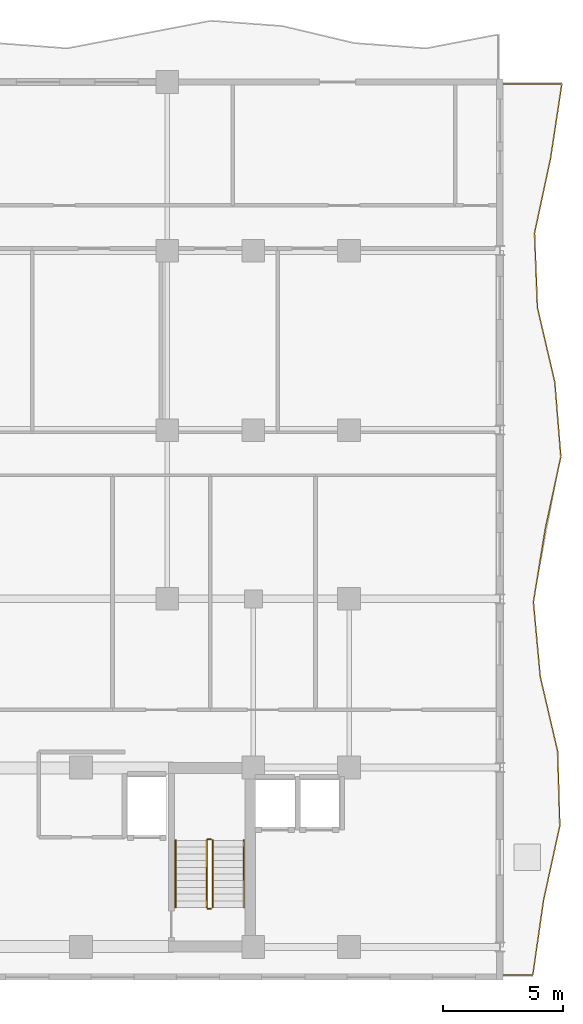
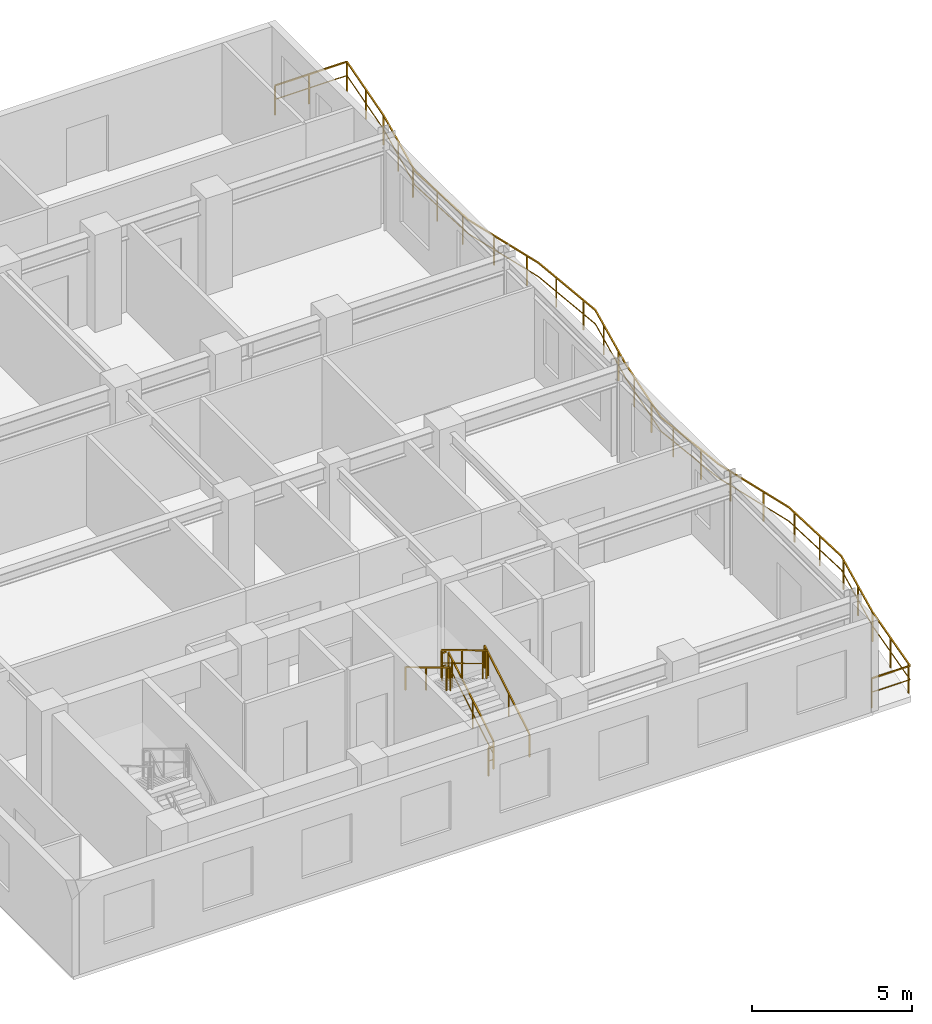
# One storey, part 12 of 13: 7 railings.
"""IFC4 building model written with IfcOpenShell, lengths in metres."""

import ifcopenshell
import ifcopenshell.guid

model = None  # the IFC model being written
_history = None  # IfcOwnerHistory: only IFC2X3 demands one
_inside = {}  # id of a spatial element -> (the spatial element, [elements in it])
_under = {}  # id of a project, library or spatial element -> (it, [spatial elements below it])
_declared = {}  # id of a project -> (the project, [libraries it declares])
_typed = {}  # id of a type object -> (the type object, [elements of that type])
_made_of = {}  # id of a material, layer set ... -> (it, [elements and type objects made of it])


def new_model(schema):
    """Start an empty IFC model of exactly this schema.

    Asked for "IFC4X3", IfcOpenShell would pick the latest addendum, in which some entities
    have other attributes; the version numbers below select the first issue.
    IFC2X3 requires an IfcOwnerHistory on every rooted entity: one is made here for all.
    """
    global model, _history
    if schema == "IFC4X3":
        model = ifcopenshell.file(schema_version=(4, 3, 0, 0))
    else:
        model = ifcopenshell.file(schema=schema)
    _inside.clear()
    _under.clear()
    _declared.clear()
    _typed.clear()
    _made_of.clear()
    _history = None
    if model.schema == "IFC2X3":
        org = make("IfcOrganization", Name="unknown")
        user = make(
            "IfcPersonAndOrganization",
            ThePerson=make("IfcPerson", FamilyName="unknown"),
            TheOrganization=org,
        )
        app = make(
            "IfcApplication",
            ApplicationDeveloper=org,
            Version="unknown",
            ApplicationFullName="unknown",
            ApplicationIdentifier="unknown",
        )
        _history = make(
            "IfcOwnerHistory",
            OwningUser=user,
            OwningApplication=app,
            ChangeAction="ADDED",
            CreationDate=0,
        )
    return model


def make(cls, **values):
    """One entity of the class cls with the attributes given. An attribute that is None is left unset."""
    return model.create_entity(
        cls, **{name: value for name, value in values.items() if value is not None}
    )


def rooted(cls, **values):
    """An entity with a GlobalId (a new one), such as an element, a storey or a relation."""
    return make(cls, GlobalId=ifcopenshell.guid.new(), OwnerHistory=_history, **values)


def si_unit(unit_type, name, prefix=None):
    """IfcSIUnit, for example si_unit("LENGTHUNIT", "METRE", prefix="MILLI")."""
    return make("IfcSIUnit", UnitType=unit_type, Prefix=prefix, Name=name)


def assignment(units):
    """IfcUnitAssignment: the units of a project."""
    return None if units is None else make("IfcUnitAssignment", Units=units)


def point(xyz):
    """IfcCartesianPoint."""
    return None if xyz is None else make("IfcCartesianPoint", Coordinates=xyz)


def direction(xyz):
    """IfcDirection."""
    return None if xyz is None else make("IfcDirection", DirectionRatios=xyz)


def frame(location, z_axis=None, x_axis=None):
    """IfcAxis2Placement3D, a coordinate frame: its origin and axes. An axis left out is left unset."""
    return make(
        "IfcAxis2Placement3D",
        Location=point(location),
        Axis=direction(z_axis),
        RefDirection=direction(x_axis),
    )


def frame_2d(location, x_axis=None):
    """IfcAxis2Placement2D, a coordinate frame in the plane: its origin and x axis."""
    return make(
        "IfcAxis2Placement2D", Location=point(location), RefDirection=direction(x_axis)
    )


def origin():
    """The frame at (0, 0, 0) with its axes left unset."""
    return frame((0.0, 0.0, 0.0))


def origin_2d():
    """The frame at (0, 0) in the plane with its x axis left unset."""
    return frame_2d((0.0, 0.0))


def place(relative_to, where):
    """IfcLocalPlacement: puts the frame where relative to a parent placement (None: the world)."""
    return make(
        "IfcLocalPlacement", PlacementRelTo=relative_to, RelativePlacement=where
    )


def context(
    kind, dimensions, precision=None, world=None, true_north=None, identifier=None
):
    """IfcGeometricRepresentationContext, for example the 3D "Model" context."""
    return make(
        "IfcGeometricRepresentationContext",
        ContextIdentifier=identifier,
        ContextType=kind,
        CoordinateSpaceDimension=dimensions,
        Precision=precision,
        WorldCoordinateSystem=world,
        TrueNorth=true_north,
    )


def subcontext(parent, identifier, kind, view, scale=None):
    """IfcGeometricRepresentationSubContext, for example "Body" below "Model"."""
    return make(
        "IfcGeometricRepresentationSubContext",
        ContextIdentifier=identifier,
        ContextType=kind,
        ParentContext=parent,
        TargetScale=scale,
        TargetView=view,
    )


def project(units=None, contexts=None):
    """IfcProject with its units and contexts."""
    return rooted(
        "IfcProject",
        Name="project",
        RepresentationContexts=contexts,
        UnitsInContext=assignment(units),
    )


def spatial(cls, under=None, at=None, **own):
    """A site, building, storey or space (cls), placed at a placement, below another one or the project."""
    s = rooted(cls, ObjectPlacement=at, **own)
    if under is not None:
        _under.setdefault(under.id(), (under, []))[1].append(s)
    return s


def profile(cls, at=None, kind="AREA", **sizes):
    """A parametric profile (cls). Its sizes go by their IFC names, for example OverallWidth=200.0."""
    return make(cls, ProfileType=kind, Position=at, **sizes)


def rectangle(**sizes):
    """IfcRectangleProfileDef."""
    return profile("IfcRectangleProfileDef", **sizes)


def extrude(swept, where, along, depth):
    """IfcExtrudedAreaSolid: the profile swept, set in the frame where, extruded along a direction by depth."""
    return make(
        "IfcExtrudedAreaSolid",
        SweptArea=swept,
        Position=where,
        ExtrudedDirection=direction(along),
        Depth=depth,
    )


def shape(context_of_items, identifier, shape_type, items):
    """IfcShapeRepresentation: the items that make up one representation, for example the "Body"."""
    return make(
        "IfcShapeRepresentation",
        ContextOfItems=context_of_items,
        RepresentationIdentifier=identifier,
        RepresentationType=shape_type,
        Items=items,
    )


def material(Name=None, Category=None):
    """IfcMaterial."""
    return make("IfcMaterial", Name=Name, Category=Category)


def made_of(thing, what):
    """Note that an element or type object is made of a material, layer set ...; save() writes the relation."""
    if what is not None:
        _made_of.setdefault(what.id(), (what, []))[1].append(thing)
    return thing


def type_object(cls, material=None, **own):
    """A type object (cls), such as IfcWallType, which elements share."""
    return made_of(rooted(cls, **own), material)


def element(
    cls,
    number,
    at=None,
    inside=None,
    cuts=None,
    type_object=None,
    material=None,
    context=None,
    identifier="Body",
    shape_type=None,
    held_by="IfcProductDefinitionShape",
    body=None,
    shapes=None,
    **own,
):
    """One element of the class cls, such as IfcWall. Its Tag is "e" and its number.

    at: its placement. inside: the storey or other place that contains it. cuts: it is an
    opening in that element (IfcRelVoidsElement). A single representation is given by context,
    identifier, shape_type and body (its items); several are given by shapes. held_by: the class
    of the entity that holds the representations. save() writes the other relations.
    """
    e = rooted(cls, Tag="e%d" % number, ObjectPlacement=at, **own)
    if body is not None:
        shapes = [shape(context, identifier, shape_type, body)]
    if shapes is not None:
        e.Representation = make(held_by, Representations=shapes)
    if inside is not None:
        _inside.setdefault(inside.id(), (inside, []))[1].append(e)
    if cuts is not None:
        rooted(
            "IfcRelVoidsElement", RelatingBuildingElement=cuts, RelatedOpeningElement=e
        )
    if type_object is not None:
        _typed.setdefault(type_object.id(), (type_object, []))[1].append(e)
    return made_of(e, material)


def aggregate(whole, parts):
    """IfcRelAggregates: a whole, such as a stair, and the parts it consists of."""
    return rooted("IfcRelAggregates", RelatingObject=whole, RelatedObjects=parts)


def save(model, path):
    """Write the relations noted so far, then the file.

    IfcRelAggregates (storeys below a building ...), IfcRelContainedInSpatialStructure (elements
    in a storey), IfcRelDefinesByType, IfcRelAssociatesMaterial and IfcRelDeclares: one each for
    every whole, place, type object, material and project.
    """
    for whole, parts in _under.values():
        aggregate(whole, parts)
    for where, things in _inside.values():
        rooted(
            "IfcRelContainedInSpatialStructure",
            RelatedElements=things,
            RelatingStructure=where,
        )
    for kind, things in _typed.values():
        rooted("IfcRelDefinesByType", RelatedObjects=things, RelatingType=kind)
    for what, things in _made_of.values():
        rooted("IfcRelAssociatesMaterial", RelatedObjects=things, RelatingMaterial=what)
    for by, libraries in _declared.values():
        rooted("IfcRelDeclares", RelatingContext=by, RelatedDefinitions=libraries)
    model.write(path)


model = new_model("IFC4")

# Units and contexts
model_context = context("Model", 3, precision=1e-05, world=origin(), true_north=direction((0.0, 1.0)))
body_context = subcontext(model_context, "Body", "Model", "MODEL_VIEW")
ifc_project = project(units=[si_unit("LENGTHUNIT", "METRE"), si_unit("AREAUNIT", "SQUARE_METRE"), si_unit("VOLUMEUNIT", "CUBIC_METRE"), si_unit("PLANEANGLEUNIT", "RADIAN"), si_unit("MASSUNIT", "GRAM", prefix="KILO")], contexts=[model_context])

# Site, building, storey
site_placement = place(None, origin())
site = spatial("IfcSite", under=ifc_project, at=site_placement, CompositionType="ELEMENT")
building_placement = place(site_placement, origin())
building = spatial("IfcBuilding", under=site, at=building_placement, Name="Kaliganga Portal Commons", CompositionType="ELEMENT")
storey_placement = place(building_placement, frame((0.0, 0.0, 209.199951171875)))
storey = spatial("IfcBuildingStorey", under=building, at=storey_placement, Name="L53", CompositionType="ELEMENT", Elevation=209.199951171875)

# Railings
ifc_material_1 = material(Name="Laminated Safety Glass and Stainless Steel 316", Category="steel")
railing_type_1 = type_object("IfcRailingType", Name="RLG-BAL-1150", PredefinedType="BALUSTRADE", material=ifc_material_1)
railing_1_placement = place(storey_placement, frame((60.707275390625, 5.879638671875, 0.0)))
element("IfcRailing", 1, at=railing_1_placement, inside=storey, type_object=railing_type_1, Name="Balcony Guardrail L53 balc_east", PredefinedType="BALUSTRADE", context=body_context, shape_type="SweptSolid", body=[
    extrude(rectangle(XDim=0.048095703125, YDim=0.048095703125, at=origin_2d()), frame((0.0, 0.0, 1.1259765625), z_axis=(0.999999984265, 0.000177399323, 0.0), x_axis=(-0.000177399323, 0.999999984265, 0.0)), (0.0, 0.0, 1.0), 1.376220703125),
    extrude(rectangle(XDim=0.028076171875, YDim=0.028076171875, at=origin_2d()), frame((0.0, 0.0, 0.597900390625), z_axis=(0.999999984265, 0.000177399323, 0.0), x_axis=(-0.000177399323, 0.999999984265, 0.0)), (0.0, 0.0, 1.0), 1.376220703125),
    extrude(rectangle(XDim=0.048095703125, YDim=0.048095703125, at=origin_2d()), frame((1.376220703125, 0.000244140625, 1.1259765625), z_axis=(0.142050942072, 0.989859348522, 0.0), x_axis=(-0.989859348522, 0.142050942072, 0.0)), (0.0, 0.0, 1.0), 3.148681640625),
    extrude(rectangle(XDim=0.028076171875, YDim=0.028076171875, at=origin_2d()), frame((1.376220703125, 0.000244140625, 0.597900390625), z_axis=(0.142050942072, 0.989859348522, 0.0), x_axis=(-0.989859348522, 0.142050942072, 0.0)), (0.0, 0.0, 1.0), 3.148681640625),
    extrude(rectangle(XDim=0.048095703125, YDim=0.048095703125, at=origin_2d()), frame((1.823486328125, 3.116943359375, 1.1259765625), z_axis=(0.213306548237, 0.976985320503, 0.0), x_axis=(-0.976985320503, 0.213306548237, 0.0)), (0.0, 0.0, 1.0), 3.18994140625),
    extrude(rectangle(XDim=0.028076171875, YDim=0.028076171875, at=origin_2d()), frame((1.823486328125, 3.116943359375, 0.597900390625), z_axis=(0.213306548237, 0.976985320503, 0.0), x_axis=(-0.976985320503, 0.213306548237, 0.0)), (0.0, 0.0, 1.0), 3.18994140625),
    extrude(rectangle(XDim=0.048095703125, YDim=0.048095703125, at=origin_2d()), frame((2.50390625, 6.2333984375, 1.1259765625), z_axis=(-0.029205772037, 0.999573420455, 0.0), x_axis=(-0.999573420455, -0.029205772037, 0.0)), (0.0, 0.0, 1.0), 3.117919921875),
    extrude(rectangle(XDim=0.028076171875, YDim=0.028076171875, at=origin_2d()), frame((2.50390625, 6.2333984375, 0.597900390625), z_axis=(-0.029205772037, 0.999573420455, 0.0), x_axis=(-0.999573420455, -0.029205772037, 0.0)), (0.0, 0.0, 1.0), 3.117919921875),
    extrude(rectangle(XDim=0.048095703125, YDim=0.048095703125, at=origin_2d()), frame((2.412841796875, 9.35009765625, 1.1259765625), z_axis=(-0.226797922916, 0.973941837155, 0.0), x_axis=(-0.973941837155, -0.226797922916, 0.0)), (0.0, 0.0, 1.0), 3.200439453125),
    extrude(rectangle(XDim=0.028076171875, YDim=0.028076171875, at=origin_2d()), frame((2.412841796875, 9.35009765625, 0.597900390625), z_axis=(-0.226797922916, 0.973941837155, 0.0), x_axis=(-0.973941837155, -0.226797922916, 0.0)), (0.0, 0.0, 1.0), 3.200439453125),
    extrude(rectangle(XDim=0.048095703125, YDim=0.048095703125, at=origin_2d()), frame((1.68701171875, 12.467041015625, 1.1259765625), z_axis=(-0.091358738014, 0.995818046125, 0.0), x_axis=(-0.995818046125, -0.091358738014, 0.0)), (0.0, 0.0, 1.0), 3.12939453125),
    extrude(rectangle(XDim=0.028076171875, YDim=0.028076171875, at=origin_2d()), frame((1.68701171875, 12.467041015625, 0.597900390625), z_axis=(-0.091358738014, 0.995818046125, 0.0), x_axis=(-0.995818046125, -0.091358738014, 0.0)), (0.0, 0.0, 1.0), 3.12939453125),
    extrude(rectangle(XDim=0.048095703125, YDim=0.048095703125, at=origin_2d()), frame((1.401123046875, 15.583251953125, 1.1259765625), z_axis=(0.159197507151, 0.987246754219, 0.0), x_axis=(-0.987246754219, 0.159197507151, 0.0)), (0.0, 0.0, 1.0), 3.076416015625),
    extrude(rectangle(XDim=0.028076171875, YDim=0.028076171875, at=origin_2d()), frame((1.401123046875, 15.583251953125, 0.597900390625), z_axis=(0.159197507151, 0.987246754219, 0.0), x_axis=(-0.987246754219, 0.159197507151, 0.0)), (0.0, 0.0, 1.0), 3.076416015625),
    extrude(rectangle(XDim=0.048095703125, YDim=0.048095703125, at=origin_2d()), frame((1.890869140625, 18.620361328125, 1.1259765625), z_axis=(0.210965851536, 0.97749343194, 0.0), x_axis=(-0.97749343194, 0.210965851536, 0.0)), (0.0, 0.0, 1.0), 3.109619140625),
    extrude(rectangle(XDim=0.028076171875, YDim=0.028076171875, at=origin_2d()), frame((1.890869140625, 18.620361328125, 0.597900390625), z_axis=(0.210965851536, 0.97749343194, 0.0), x_axis=(-0.97749343194, 0.210965851536, 0.0)), (0.0, 0.0, 1.0), 3.109619140625),
    extrude(rectangle(XDim=0.048095703125, YDim=0.048095703125, at=origin_2d()), frame((2.546875, 21.659912109375, 1.1259765625), z_axis=(-0.080484364027, 0.996755871388, 0.0), x_axis=(-0.996755871388, -0.080484364027, 0.0)), (0.0, 0.0, 1.0), 3.12451171875),
    extrude(rectangle(XDim=0.028076171875, YDim=0.028076171875, at=origin_2d()), frame((2.546875, 21.659912109375, 0.597900390625), z_axis=(-0.080484364027, 0.996755871388, 0.0), x_axis=(-0.996755871388, -0.080484364027, 0.0)), (0.0, 0.0, 1.0), 3.12451171875),
    extrude(rectangle(XDim=0.048095703125, YDim=0.048095703125, at=origin_2d()), frame((2.29541015625, 24.774169921875, 1.1259765625), z_axis=(-0.22728267604, 0.97382882745, 0.0), x_axis=(-0.97382882745, -0.22728267604, 0.0)), (0.0, 0.0, 1.0), 3.199951171875),
    extrude(rectangle(XDim=0.028076171875, YDim=0.028076171875, at=origin_2d()), frame((2.29541015625, 24.774169921875, 0.597900390625), z_axis=(-0.22728267604, 0.97382882745, 0.0), x_axis=(-0.97382882745, -0.22728267604, 0.0)), (0.0, 0.0, 1.0), 3.199951171875),
    extrude(rectangle(XDim=0.048095703125, YDim=0.048095703125, at=origin_2d()), frame((1.568115234375, 27.890380859375, 1.1259765625), z_axis=(-0.038589439843, 0.999255150166, 0.0), x_axis=(-0.999255150166, -0.038589439843, 0.0)), (0.0, 0.0, 1.0), 3.119140625),
    extrude(rectangle(XDim=0.028076171875, YDim=0.028076171875, at=origin_2d()), frame((1.568115234375, 27.890380859375, 0.597900390625), z_axis=(-0.038589439843, 0.999255150166, 0.0), x_axis=(-0.999255150166, -0.038589439843, 0.0)), (0.0, 0.0, 1.0), 3.119140625),
    extrude(rectangle(XDim=0.048095703125, YDim=0.048095703125, at=origin_2d()), frame((1.44775390625, 31.007080078125, 1.1259765625), z_axis=(0.209780147745, 0.977748582005, 0.0), x_axis=(-0.977748582005, 0.209780147745, 0.0)), (0.0, 0.0, 1.0), 3.187744140625),
    extrude(rectangle(XDim=0.028076171875, YDim=0.028076171875, at=origin_2d()), frame((1.44775390625, 31.007080078125, 0.597900390625), z_axis=(0.209780147745, 0.977748582005, 0.0), x_axis=(-0.977748582005, 0.209780147745, 0.0)), (0.0, 0.0, 1.0), 3.187744140625),
    extrude(rectangle(XDim=0.048095703125, YDim=0.048095703125, at=origin_2d()), frame((2.116455078125, 34.123779296875, 1.1259765625), z_axis=(0.14978702516, 0.988718285, 0.0), x_axis=(-0.988718285, 0.14978702516, 0.0)), (0.0, 0.0, 1.0), 3.15234375),
    extrude(rectangle(XDim=0.028076171875, YDim=0.028076171875, at=origin_2d()), frame((2.116455078125, 34.123779296875, 0.597900390625), z_axis=(0.14978702516, 0.988718285, 0.0), x_axis=(-0.988718285, 0.14978702516, 0.0)), (0.0, 0.0, 1.0), 3.15234375),
    extrude(rectangle(XDim=0.048095703125, YDim=0.048095703125, at=origin_2d()), frame((2.588623046875, 37.240478515625, 1.1259765625), z_axis=(-0.999999995553, 9.431293e-05, 0.0), x_axis=(-9.431293e-05, -0.999999995553, 0.0)), (0.0, 0.0, 1.0), 2.588623046875),
    extrude(rectangle(XDim=0.028076171875, YDim=0.028076171875, at=origin_2d()), frame((2.588623046875, 37.240478515625, 0.597900390625), z_axis=(-0.999999995553, 9.431293e-05, 0.0), x_axis=(-9.431293e-05, -0.999999995553, 0.0)), (0.0, 0.0, 1.0), 2.588623046875),
    extrude(rectangle(XDim=0.0419921875, YDim=0.0419921875, at=origin_2d()), origin(), (0.0, 0.0, 1.0), 1.101806640625),
    extrude(rectangle(XDim=0.0419921875, YDim=0.0419921875, at=origin_2d()), frame((1.393798828125, 0.122802734375, 0.0)), (0.0, 0.0, 1.0), 1.101806640625),
    extrude(rectangle(XDim=0.0419921875, YDim=0.0419921875, at=origin_2d()), frame((1.60693359375, 1.607666015625, 0.0)), (0.0, 0.0, 1.0), 1.101806640625),
    extrude(rectangle(XDim=0.0419921875, YDim=0.0419921875, at=origin_2d()), frame((1.823486328125, 3.116943359375, 0.0)), (0.0, 0.0, 1.0), 1.101806640625),
    extrude(rectangle(XDim=0.0419921875, YDim=0.0419921875, at=origin_2d()), frame((2.13818359375, 4.55810546875, 0.0)), (0.0, 0.0, 1.0), 1.101806640625),
    extrude(rectangle(XDim=0.0419921875, YDim=0.0419921875, at=origin_2d()), frame((2.4580078125, 6.023681640625, 0.0)), (0.0, 0.0, 1.0), 1.101806640625),
    extrude(rectangle(XDim=0.0419921875, YDim=0.0419921875, at=origin_2d()), frame((2.46630859375, 7.51806640625, 0.0)), (0.0, 0.0, 1.0), 1.101806640625),
    extrude(rectangle(XDim=0.0419921875, YDim=0.0419921875, at=origin_2d()), frame((2.422607421875, 9.017578125, 0.0)), (0.0, 0.0, 1.0), 1.101806640625),
    extrude(rectangle(XDim=0.0419921875, YDim=0.0419921875, at=origin_2d()), frame((2.148193359375, 10.48681640625, 0.0)), (0.0, 0.0, 1.0), 1.101806640625),
    extrude(rectangle(XDim=0.0419921875, YDim=0.0419921875, at=origin_2d()), frame((1.807861328125, 11.94775390625, 0.0)), (0.0, 0.0, 1.0), 1.101806640625),
    extrude(rectangle(XDim=0.0419921875, YDim=0.0419921875, at=origin_2d()), frame((1.5986328125, 13.429931640625, 0.0)), (0.0, 0.0, 1.0), 1.101806640625),
    extrude(rectangle(XDim=0.0419921875, YDim=0.0419921875, at=origin_2d()), frame((1.461669921875, 14.923583984375, 0.0)), (0.0, 0.0, 1.0), 1.101806640625),
    extrude(rectangle(XDim=0.0419921875, YDim=0.0419921875, at=origin_2d()), frame((1.534423828125, 16.41015625, 0.0)), (0.0, 0.0, 1.0), 1.101806640625),
    extrude(rectangle(XDim=0.0419921875, YDim=0.0419921875, at=origin_2d()), frame((1.773193359375, 17.89111328125, 0.0)), (0.0, 0.0, 1.0), 1.101806640625),
    extrude(rectangle(XDim=0.0419921875, YDim=0.0419921875, at=origin_2d()), frame((2.051513671875, 19.364501953125, 0.0)), (0.0, 0.0, 1.0), 1.101806640625),
    extrude(rectangle(XDim=0.0419921875, YDim=0.0419921875, at=origin_2d()), frame((2.367919921875, 20.830810546875, 0.0)), (0.0, 0.0, 1.0), 1.101806640625),
    extrude(rectangle(XDim=0.0419921875, YDim=0.0419921875, at=origin_2d()), frame((2.494384765625, 22.3095703125, 0.0)), (0.0, 0.0, 1.0), 1.101806640625),
    extrude(rectangle(XDim=0.0419921875, YDim=0.0419921875, at=origin_2d()), frame((2.373779296875, 23.8046875, 0.0)), (0.0, 0.0, 1.0), 1.101806640625),
    extrude(rectangle(XDim=0.0419921875, YDim=0.0419921875, at=origin_2d()), frame((2.175537109375, 25.28759765625, 0.0)), (0.0, 0.0, 1.0), 1.101806640625),
    extrude(rectangle(XDim=0.0419921875, YDim=0.0419921875, at=origin_2d()), frame((1.834716796875, 26.74853515625, 0.0)), (0.0, 0.0, 1.0), 1.101806640625),
    extrude(rectangle(XDim=0.0419921875, YDim=0.0419921875, at=origin_2d()), frame((1.555419921875, 28.217529296875, 0.0)), (0.0, 0.0, 1.0), 1.101806640625),
    extrude(rectangle(XDim=0.0419921875, YDim=0.0419921875, at=origin_2d()), frame((1.49755859375, 29.71630859375, 0.0)), (0.0, 0.0, 1.0), 1.101806640625),
    extrude(rectangle(XDim=0.0419921875, YDim=0.0419921875, at=origin_2d()), frame((1.491455078125, 31.210693359375, 0.0)), (0.0, 0.0, 1.0), 1.101806640625),
    extrude(rectangle(XDim=0.0419921875, YDim=0.0419921875, at=origin_2d()), frame((1.80615234375, 32.677490234375, 0.0)), (0.0, 0.0, 1.0), 1.101806640625),
    extrude(rectangle(XDim=0.0419921875, YDim=0.0419921875, at=origin_2d()), frame((2.11962890625, 34.144287109375, 0.0)), (0.0, 0.0, 1.0), 1.101806640625),
    extrude(rectangle(XDim=0.0419921875, YDim=0.0419921875, at=origin_2d()), frame((2.34423828125, 35.62744140625, 0.0)), (0.0, 0.0, 1.0), 1.101806640625),
    extrude(rectangle(XDim=0.0419921875, YDim=0.0419921875, at=origin_2d()), frame((2.588623046875, 37.240478515625, 0.0)), (0.0, 0.0, 1.0), 1.101806640625),
    extrude(rectangle(XDim=0.0419921875, YDim=0.0419921875, at=origin_2d()), frame((1.22021484375, 37.24072265625, 0.0)), (0.0, 0.0, 1.0), 1.101806640625),
    extrude(rectangle(XDim=0.0419921875, YDim=0.0419921875, at=origin_2d()), frame((0.0, 37.24072265625, 0.0)), (0.0, 0.0, 1.0), 1.101806640625),
])
ifc_material_2 = material(Name="Galvanized Painted Steel Balustrade", Category="steel")
railing_type_2 = type_object("IfcRailingType", Name="RLG-STAIR-GRD", PredefinedType="GUARDRAIL", material=ifc_material_2)
railing_2_placement = place(storey_placement, frame((48.699951171875, 8.699951171875, 0.168212890625)))
element("IfcRailing", 2, at=railing_2_placement, inside=storey, type_object=railing_type_2, Name="L53 ST-B2 stair guard 1", PredefinedType="GUARDRAIL", context=body_context, shape_type="SweptSolid", body=[
    extrude(rectangle(XDim=0.048095703125, YDim=0.048095703125, at=origin_2d()), frame((0.0, 0.0, 1.072021484375), z_axis=(0.0, 0.857242210791, 0.514913383045), x_axis=(-1.0, 0.0, 0.0)), (0.0, 0.0, 1.0), 3.266357421875),
    extrude(rectangle(XDim=0.028076171875, YDim=0.028076171875, at=origin_2d()), frame((0.0, 0.0, 0.572021484375), z_axis=(0.0, 0.857242210791, 0.514913383045), x_axis=(-1.0, 0.0, 0.0)), (0.0, 0.0, 1.0), 3.266357421875),
    extrude(rectangle(XDim=0.0419921875, YDim=0.0419921875, at=origin_2d()), origin(), (0.0, 0.0, 1.0), 1.052001953125),
    extrude(rectangle(XDim=0.0419921875, YDim=0.0419921875, at=origin_2d()), frame((0.0, 1.285888671875, 0.7724609375)), (0.0, 0.0, 1.0), 1.052001953125),
    extrude(rectangle(XDim=0.0419921875, YDim=0.0419921875, at=origin_2d()), frame((0.0, 2.57177734375, 1.544677734375)), (0.0, 0.0, 1.0), 1.052001953125),
    extrude(rectangle(XDim=0.0419921875, YDim=0.0419921875, at=origin_2d()), frame((0.0, 2.800048828125, 1.681884765625)), (0.0, 0.0, 1.0), 1.052001953125),
])
railing_3_placement = place(storey_placement, frame((48.64990234375, 11.550048828125, 1.85009765625)))
element("IfcRailing", 3, at=railing_3_placement, inside=storey, type_object=railing_type_2, Name="L53 ST-B2 stair guard 2", PredefinedType="GUARDRAIL", context=body_context, shape_type="SweptSolid", body=[
    extrude(rectangle(XDim=0.048095703125, YDim=0.048095703125, at=origin_2d()), frame((0.0, 0.0, 1.076171875), z_axis=(-1.0, 0.0, 0.0), x_axis=(0.0, -1.0, 0.0)), (0.0, 0.0, 1.0), 0.14990234375),
    extrude(rectangle(XDim=0.028076171875, YDim=0.028076171875, at=origin_2d()), frame((0.0, 0.0, 0.572021484375), z_axis=(-1.0, 0.0, 0.0), x_axis=(0.0, -1.0, 0.0)), (0.0, 0.0, 1.0), 0.14990234375),
    extrude(rectangle(XDim=0.0419921875, YDim=0.0419921875, at=origin_2d()), frame((-0.14990234375, 0.0, 0.0)), (0.0, 0.0, 1.0), 1.052001953125),
])
railing_4_placement = place(storey_placement, frame((48.449951171875, 11.5, 2.018310546875)))
element("IfcRailing", 4, at=railing_4_placement, inside=storey, type_object=railing_type_2, Name="L53 ST-B2 stair guard 3", PredefinedType="GUARDRAIL", context=body_context, shape_type="SweptSolid", body=[
    extrude(rectangle(XDim=0.048095703125, YDim=0.048095703125, at=origin_2d()), frame((0.0, 0.0, 1.072021484375), z_axis=(0.0, -0.857275202839, 0.514858452973), x_axis=(1.0, 0.0, 0.0)), (0.0, 0.0, 1.0), 3.26611328125),
    extrude(rectangle(XDim=0.028076171875, YDim=0.028076171875, at=origin_2d()), frame((0.0, 0.0, 0.572021484375), z_axis=(0.0, -0.857275202839, 0.514858452973), x_axis=(1.0, 0.0, 0.0)), (0.0, 0.0, 1.0), 3.26611328125),
    extrude(rectangle(XDim=0.0419921875, YDim=0.0419921875, at=origin_2d()), origin(), (0.0, 0.0, 1.0), 1.052001953125),
    extrude(rectangle(XDim=0.0419921875, YDim=0.0419921875, at=origin_2d()), frame((0.0, -1.285888671875, 0.772216796875)), (0.0, 0.0, 1.0), 1.052001953125),
    extrude(rectangle(XDim=0.0419921875, YDim=0.0419921875, at=origin_2d()), frame((0.0, -2.57177734375, 1.544677734375)), (0.0, 0.0, 1.0), 1.052001953125),
    extrude(rectangle(XDim=0.0419921875, YDim=0.0419921875, at=origin_2d()), frame((0.0, -2.800048828125, 1.681640625)), (0.0, 0.0, 1.0), 1.052001953125),
])
railing_5_placement = place(storey_placement, frame((48.64990234375, 8.64990234375, 0.0)))
element("IfcRailing", 5, at=railing_5_placement, inside=storey, type_object=railing_type_2, Name="L53 ST-B2 stair guard 4", PredefinedType="GUARDRAIL", context=body_context, shape_type="SweptSolid", body=[
    extrude(rectangle(XDim=0.048095703125, YDim=0.048095703125, at=origin_2d()), frame((0.0, 0.0, 1.076171875), z_axis=(-1.0, 0.0, 0.0), x_axis=(0.0, -1.0, 0.0)), (0.0, 0.0, 1.0), 0.14990234375),
    extrude(rectangle(XDim=0.028076171875, YDim=0.028076171875, at=origin_2d()), frame((0.0, 0.0, 0.572021484375), z_axis=(-1.0, 0.0, 0.0), x_axis=(0.0, -1.0, 0.0)), (0.0, 0.0, 1.0), 0.14990234375),
    extrude(rectangle(XDim=0.0419921875, YDim=0.0419921875, at=origin_2d()), frame((-0.14990234375, 0.0, 0.0)), (0.0, 0.0, 1.0), 1.052001953125),
])
ifc_material_3 = material(Name="Brushed Stainless Steel 316", Category="steel")
railing_type_3 = type_object("IfcRailingType", Name="RLG-STAIR-HR", PredefinedType="HANDRAIL", material=ifc_material_3)
railing_6_placement = place(storey_placement, frame((50.0, 8.699951171875, 0.168212890625)))
element("IfcRailing", 6, at=railing_6_placement, inside=storey, type_object=railing_type_3, Name="L53 ST-B2 stair handrail 1", PredefinedType="HANDRAIL", context=body_context, shape_type="SweptSolid", body=[
    extrude(rectangle(XDim=0.048095703125, YDim=0.048095703125, at=origin_2d()), frame((0.0, 0.0, 0.871826171875), z_axis=(0.0, 0.857242210791, 0.514913383045), x_axis=(-1.0, 0.0, 0.0)), (0.0, 0.0, 1.0), 3.266357421875),
    extrude(rectangle(XDim=0.0419921875, YDim=0.0419921875, at=origin_2d()), origin(), (0.0, 0.0, 1.0), 0.851806640625),
    extrude(rectangle(XDim=0.0419921875, YDim=0.0419921875, at=origin_2d()), frame((0.0, 1.285888671875, 0.7724609375)), (0.0, 0.0, 1.0), 0.851806640625),
    extrude(rectangle(XDim=0.0419921875, YDim=0.0419921875, at=origin_2d()), frame((0.0, 2.57177734375, 1.544677734375)), (0.0, 0.0, 1.0), 0.851806640625),
    extrude(rectangle(XDim=0.0419921875, YDim=0.0419921875, at=origin_2d()), frame((0.0, 2.800048828125, 1.681884765625)), (0.0, 0.0, 1.0), 0.851806640625),
])
railing_7_placement = place(storey_placement, frame((47.14990234375, 11.5, 2.018310546875)))
element("IfcRailing", 7, at=railing_7_placement, inside=storey, type_object=railing_type_3, Name="L53 ST-B2 stair handrail 2", PredefinedType="HANDRAIL", context=body_context, shape_type="SweptSolid", body=[
    extrude(rectangle(XDim=0.048095703125, YDim=0.048095703125, at=origin_2d()), frame((0.0, 0.0, 0.871826171875), z_axis=(0.0, -0.857275202839, 0.514858452973), x_axis=(1.0, 0.0, 0.0)), (0.0, 0.0, 1.0), 3.26611328125),
    extrude(rectangle(XDim=0.0419921875, YDim=0.0419921875, at=origin_2d()), origin(), (0.0, 0.0, 1.0), 0.851806640625),
    extrude(rectangle(XDim=0.0419921875, YDim=0.0419921875, at=origin_2d()), frame((0.0, -1.285888671875, 0.772216796875)), (0.0, 0.0, 1.0), 0.851806640625),
    extrude(rectangle(XDim=0.0419921875, YDim=0.0419921875, at=origin_2d()), frame((0.0, -2.57177734375, 1.544677734375)), (0.0, 0.0, 1.0), 0.851806640625),
    extrude(rectangle(XDim=0.0419921875, YDim=0.0419921875, at=origin_2d()), frame((0.0, -2.800048828125, 1.681640625)), (0.0, 0.0, 1.0), 0.851806640625),
])

save(model, "model.ifc")
